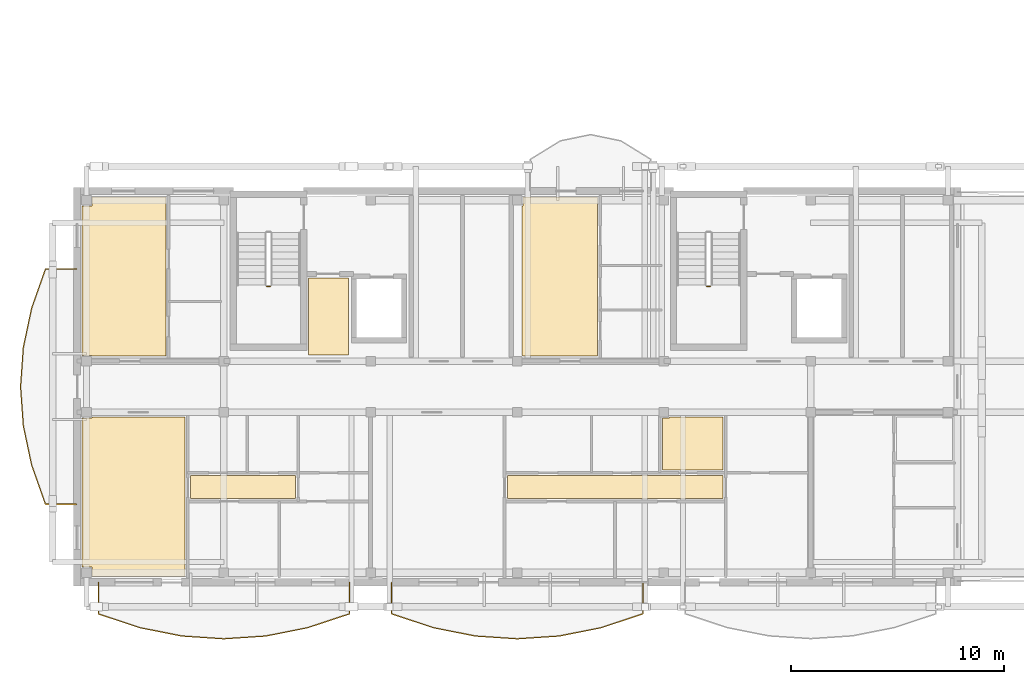
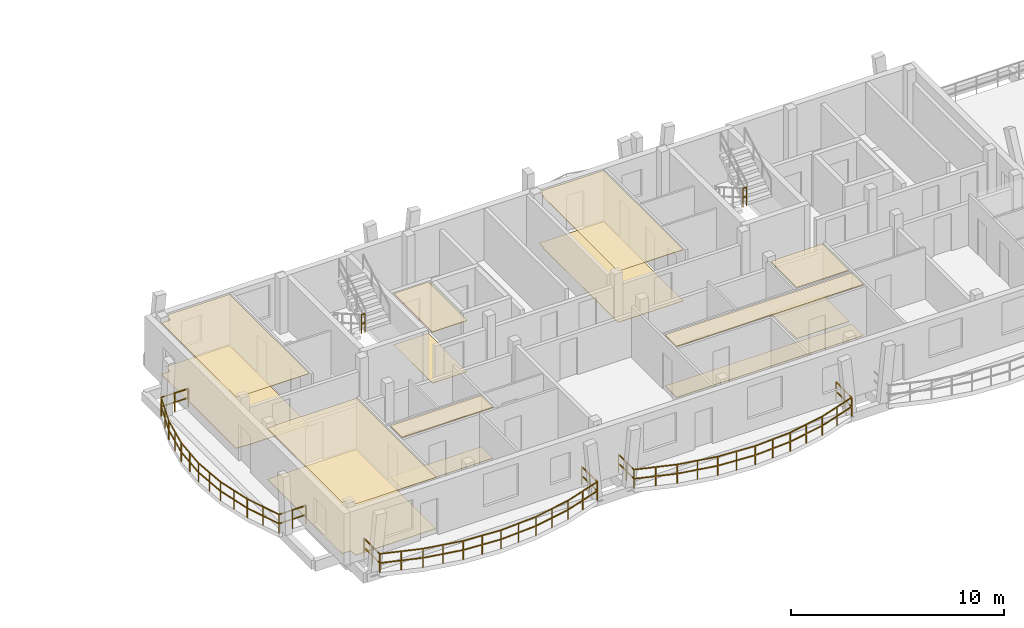
# One storey, part 26 of 33: 14 coverings, 5 railings.
"""IFC4 building model written with IfcOpenShell, lengths in metres."""

from ifc_helpers import new_model, si_unit, direction, frame, origin, origin_2d, place, context, subcontext, project, spatial, polyline, rectangle, outline, extrude, material, layer, layer_set, type_object, element, save


model = new_model("IFC4")

# Units and contexts
model_context = context("Model", 3, precision=1e-05, world=origin(), true_north=direction((0.0, 1.0)))
body_context = subcontext(model_context, "Body", "Model", "MODEL_VIEW")
ifc_project = project(units=[si_unit("LENGTHUNIT", "METRE"), si_unit("AREAUNIT", "SQUARE_METRE"), si_unit("VOLUMEUNIT", "CUBIC_METRE"), si_unit("PLANEANGLEUNIT", "RADIAN"), si_unit("MASSUNIT", "GRAM", prefix="KILO")], contexts=[model_context])

# Site, building, storey
site_placement = place(None, origin())
site = spatial("IfcSite", under=ifc_project, at=site_placement, CompositionType="ELEMENT")
building_placement = place(site_placement, origin())
building = spatial("IfcBuilding", under=site, at=building_placement, Name="Zavelmont Quarter", CompositionType="ELEMENT")
storey_placement = place(building_placement, frame((0.0, 0.0, 30.39990234375)))
storey = spatial("IfcBuildingStorey", under=building, at=storey_placement, Name="L09", CompositionType="ELEMENT", Elevation=30.39990234375)

# Coverings
ifc_material_1 = material(Name="Perforated acoustic gypsum board")
ifc_layer_1 = layer(ifc_material_1, 0.02490234375)
ifc_layer_set_1 = layer_set([ifc_layer_1], Name="Perforated acoustic gypsum board")
covering_type_1 = type_object("IfcCoveringType", Name="CV-CL01", PredefinedType="CEILING", material=ifc_layer_set_1)
covering_1_placement = place(storey_placement, frame((0.0, 0.0, 2.93505859375)))
element("IfcCovering", 1, at=covering_1_placement, inside=storey, type_object=covering_type_1, Name="L09 Lobby Vestibule acoustic ceiling", PredefinedType="CEILING", context=body_context, shape_type="SweptSolid", body=[
    extrude(outline(polyline([(10.8798828125, 14.320068359375), (12.77001953125, 14.320068359375), (12.77001953125, 10.679931640625), (10.8798828125, 10.679931640625), (10.8798828125, 14.320068359375)])), origin(), (0.0, 0.0, 1.0), 0.025146484375),
])
covering_2_placement = place(storey_placement, frame((0.0, 0.0, 2.93505859375)))
element("IfcCovering", 2, at=covering_2_placement, inside=storey, type_object=covering_type_1, Name="L09 Living Dining acoustic ceiling", PredefinedType="CEILING", context=body_context, shape_type="SweptSolid", body=[
    extrude(outline(polyline([(0.22998046875, 7.735107421875), (0.705078125, 7.735107421875), (0.705078125, 7.77001953125), (5.070068359375, 7.77001953125), (5.070068359375, 0.280029296875), (0.705078125, 0.280029296875), (0.705078125, 0.705078125), (0.22998046875, 0.705078125), (0.22998046875, 7.735107421875)])), origin(), (0.0, 0.0, 1.0), 0.025146484375),
])
covering_3_placement = place(storey_placement, frame((0.0, 0.0, 2.93505859375)))
element("IfcCovering", 3, at=covering_3_placement, inside=storey, type_object=covering_type_1, Name="L09 Utility Laundry acoustic ceiling", PredefinedType="CEILING", context=body_context, shape_type="SweptSolid", body=[
    extrude(outline(polyline([(27.530029296875, 7.735107421875), (27.864990234375, 7.735107421875), (27.864990234375, 7.77001953125), (30.3701171875, 7.77001953125), (30.3701171875, 5.280029296875), (27.530029296875, 5.280029296875), (27.530029296875, 7.735107421875)])), origin(), (0.0, 0.0, 1.0), 0.025146484375),
])
covering_4_placement = place(storey_placement, frame((0.0, 0.0, 2.93505859375)))
element("IfcCovering", 4, at=covering_4_placement, inside=storey, type_object=covering_type_1, Name="L09 Residents Study Lounge acoustic ceiling", PredefinedType="CEILING", context=body_context, shape_type="SweptSolid", body=[
    extrude(outline(polyline([(0.22998046875, 17.695068359375), (0.705078125, 17.695068359375), (0.705078125, 18.1201171875), (4.169921875, 18.1201171875), (4.169921875, 10.6298828125), (0.705078125, 10.6298828125), (0.705078125, 10.6650390625), (0.22998046875, 10.6650390625), (0.22998046875, 17.695068359375)])), origin(), (0.0, 0.0, 1.0), 0.025146484375),
])
covering_5_placement = place(storey_placement, frame((0.0, 0.0, 2.93505859375)))
element("IfcCovering", 5, at=covering_5_placement, inside=storey, type_object=covering_type_1, Name="L09 Living Dining acoustic ceiling", PredefinedType="CEILING", context=body_context, shape_type="SweptSolid", body=[
    extrude(outline(polyline([(20.929931640625, 17.695068359375), (20.965087890625, 17.695068359375), (20.965087890625, 18.1201171875), (24.469970703125, 18.1201171875), (24.469970703125, 10.6298828125), (20.965087890625, 10.6298828125), (20.965087890625, 10.6650390625), (20.929931640625, 10.6650390625), (20.929931640625, 17.695068359375)])), origin(), (0.0, 0.0, 1.0), 0.025146484375),
])
ifc_material_2 = material(Name="Slatted European ash acoustic baffle ceiling")
ifc_layer_2 = layer(ifc_material_2, 0.0400390625)
ifc_layer_set_2 = layer_set([ifc_layer_2], Name="Slatted European ash acoustic baffle ceiling")
covering_type_2 = type_object("IfcCoveringType", Name="CV-CL02", PredefinedType="CEILING", material=ifc_layer_set_2)
covering_6_placement = place(storey_placement, frame((0.0, 0.0, 2.920166015625)))
element("IfcCovering", 6, at=covering_6_placement, inside=storey, type_object=covering_type_2, Name="L09 Apartment Hall acoustic ceiling", PredefinedType="CEILING", context=body_context, shape_type="SweptSolid", body=[
    extrude(outline(polyline([(5.330078125, 5.02001953125), (10.27001953125, 5.02001953125), (10.27001953125, 3.929931640625), (5.330078125, 3.929931640625), (5.330078125, 5.02001953125)])), origin(), (0.0, 0.0, 1.0), 0.0400390625),
])
covering_7_placement = place(storey_placement, frame((0.0, 0.0, 2.920166015625)))
element("IfcCovering", 7, at=covering_7_placement, inside=storey, type_object=covering_type_2, Name="L09 Apartment Hall acoustic ceiling", PredefinedType="CEILING", context=body_context, shape_type="SweptSolid", body=[
    extrude(outline(polyline([(20.22998046875, 5.02001953125), (30.3701171875, 5.02001953125), (30.3701171875, 3.929931640625), (20.22998046875, 3.929931640625), (20.22998046875, 5.02001953125)])), origin(), (0.0, 0.0, 1.0), 0.0400390625),
])
ifc_material_3 = material(Name="Engineered European oak parquet")
ifc_layer_3 = layer(ifc_material_3, 0.02197265625)
ifc_layer_set_3 = layer_set([ifc_layer_3], Name="Engineered European oak parquet")
covering_type_3 = type_object("IfcCoveringType", Name="CV-FL01", PredefinedType="FLOORING", material=ifc_layer_set_3)
covering_8_placement = place(storey_placement, origin())
element("IfcCovering", 8, at=covering_8_placement, inside=storey, type_object=covering_type_3, Name="L09 Lobby Vestibule floor finish", PredefinedType="FLOORING", context=body_context, shape_type="SweptSolid", body=[
    extrude(outline(polyline([(10.8798828125, 14.320068359375), (12.77001953125, 14.320068359375), (12.77001953125, 10.679931640625), (10.8798828125, 10.679931640625), (10.8798828125, 14.320068359375)])), origin(), (0.0, 0.0, 1.0), 0.022216796875),
])
covering_9_placement = place(storey_placement, origin())
element("IfcCovering", 9, at=covering_9_placement, inside=storey, type_object=covering_type_3, Name="L09 Living Dining floor finish", PredefinedType="FLOORING", context=body_context, shape_type="SweptSolid", body=[
    extrude(outline(polyline([(0.22998046875, 7.735107421875), (0.705078125, 7.735107421875), (0.705078125, 7.77001953125), (5.070068359375, 7.77001953125), (5.070068359375, 0.280029296875), (0.705078125, 0.280029296875), (0.705078125, 0.705078125), (0.22998046875, 0.705078125), (0.22998046875, 7.735107421875)])), origin(), (0.0, 0.0, 1.0), 0.022216796875),
])
covering_10_placement = place(storey_placement, origin())
element("IfcCovering", 10, at=covering_10_placement, inside=storey, type_object=covering_type_3, Name="L09 Utility Laundry floor finish", PredefinedType="FLOORING", context=body_context, shape_type="SweptSolid", body=[
    extrude(outline(polyline([(27.530029296875, 7.735107421875), (27.864990234375, 7.735107421875), (27.864990234375, 7.77001953125), (30.3701171875, 7.77001953125), (30.3701171875, 5.280029296875), (27.530029296875, 5.280029296875), (27.530029296875, 7.735107421875)])), origin(), (0.0, 0.0, 1.0), 0.022216796875),
])
covering_11_placement = place(storey_placement, origin())
element("IfcCovering", 11, at=covering_11_placement, inside=storey, type_object=covering_type_3, Name="L09 Residents Study Lounge floor finish", PredefinedType="FLOORING", context=body_context, shape_type="SweptSolid", body=[
    extrude(outline(polyline([(0.22998046875, 17.695068359375), (0.705078125, 17.695068359375), (0.705078125, 18.1201171875), (4.169921875, 18.1201171875), (4.169921875, 10.6298828125), (0.705078125, 10.6298828125), (0.705078125, 10.6650390625), (0.22998046875, 10.6650390625), (0.22998046875, 17.695068359375)])), origin(), (0.0, 0.0, 1.0), 0.022216796875),
])
covering_12_placement = place(storey_placement, origin())
element("IfcCovering", 12, at=covering_12_placement, inside=storey, type_object=covering_type_3, Name="L09 Living Dining floor finish", PredefinedType="FLOORING", context=body_context, shape_type="SweptSolid", body=[
    extrude(outline(polyline([(20.929931640625, 17.695068359375), (20.965087890625, 17.695068359375), (20.965087890625, 18.1201171875), (24.469970703125, 18.1201171875), (24.469970703125, 10.6298828125), (20.965087890625, 10.6298828125), (20.965087890625, 10.6650390625), (20.929931640625, 10.6650390625), (20.929931640625, 17.695068359375)])), origin(), (0.0, 0.0, 1.0), 0.022216796875),
])
ifc_material_4 = material(Name="Honed Belgian bluestone tile", Category="masonry")
ifc_layer_4 = layer(ifc_material_4, 0.030029296875)
ifc_layer_set_4 = layer_set([ifc_layer_4], Name="Honed Belgian bluestone tile")
covering_type_4 = type_object("IfcCoveringType", Name="CV-FL02", PredefinedType="FLOORING", material=ifc_layer_set_4)
covering_13_placement = place(storey_placement, origin())
element("IfcCovering", 13, at=covering_13_placement, inside=storey, type_object=covering_type_4, Name="L09 Apartment Hall floor finish", PredefinedType="FLOORING", context=body_context, shape_type="SweptSolid", body=[
    extrude(outline(polyline([(5.330078125, 5.02001953125), (10.27001953125, 5.02001953125), (10.27001953125, 3.929931640625), (5.330078125, 3.929931640625), (5.330078125, 5.02001953125)])), origin(), (0.0, 0.0, 1.0), 0.030029296875),
])
covering_14_placement = place(storey_placement, origin())
element("IfcCovering", 14, at=covering_14_placement, inside=storey, type_object=covering_type_4, Name="L09 Apartment Hall floor finish", PredefinedType="FLOORING", context=body_context, shape_type="SweptSolid", body=[
    extrude(outline(polyline([(20.22998046875, 5.02001953125), (30.3701171875, 5.02001953125), (30.3701171875, 3.929931640625), (20.22998046875, 3.929931640625), (20.22998046875, 5.02001953125)])), origin(), (0.0, 0.0, 1.0), 0.030029296875),
])

# Railings
ifc_material_5 = material(Name="Powder-coated steel and tempered double safety glass", Category="steel")
railing_type_1 = type_object("IfcRailingType", Name="RL-BAL1", PredefinedType="BALUSTRADE", material=ifc_material_5)
railing_1_placement = place(storey_placement, frame((0.99658203125, -0.02001953125, 0.0)))
element("IfcRailing", 15, at=railing_1_placement, inside=storey, type_object=railing_type_1, Name="L09 Block A curved balcony guard RL-BAL1", PredefinedType="BALUSTRADE", context=body_context, shape_type="SweptSolid", body=[
    extrude(rectangle(XDim=0.048095703125, YDim=0.048095703125, at=origin_2d()), frame((0.0, 0.0, 1.076171875), z_axis=(0.0, -1.0, 0.0), x_axis=(1.0, 0.0, 0.0)), (0.0, 0.0, 1.0), 1.47119140625),
    extrude(rectangle(XDim=0.048095703125, YDim=0.048095703125, at=origin_2d()), frame((0.0, 0.0, 0.550048828125), z_axis=(0.0, -1.0, 0.0), x_axis=(1.0, 0.0, 0.0)), (0.0, 0.0, 1.0), 1.47119140625),
    extrude(rectangle(XDim=0.048095703125, YDim=0.048095703125, at=origin_2d()), frame((0.0, -1.47119140625, 1.076171875), z_axis=(0.949411084309, -0.314035974041, 0.0), x_axis=(0.314035974041, 0.949411084309, 0.0)), (0.0, 0.0, 1.0), 2.072509765625),
    extrude(rectangle(XDim=0.048095703125, YDim=0.048095703125, at=origin_2d()), frame((0.0, -1.47119140625, 0.550048828125), z_axis=(0.949411084309, -0.314035974041, 0.0), x_axis=(0.314035974041, 0.949411084309, 0.0)), (0.0, 0.0, 1.0), 2.072509765625),
    extrude(rectangle(XDim=0.048095703125, YDim=0.048095703125, at=origin_2d()), frame((1.9677734375, -2.1220703125, 1.076171875), z_axis=(0.980860504591, -0.194711762698, 0.0), x_axis=(0.194711762698, 0.980860504591, 0.0)), (0.0, 0.0, 1.0), 2.006103515625),
    extrude(rectangle(XDim=0.048095703125, YDim=0.048095703125, at=origin_2d()), frame((1.9677734375, -2.1220703125, 0.550048828125), z_axis=(0.980860504591, -0.194711762698, 0.0), x_axis=(0.194711762698, 0.980860504591, 0.0)), (0.0, 0.0, 1.0), 2.006103515625),
    extrude(rectangle(XDim=0.048095703125, YDim=0.048095703125, at=origin_2d()), frame((3.935546875, -2.5126953125, 1.076171875), z_axis=(0.997812462231, -0.066108170575, 0.0), x_axis=(0.066108170575, 0.997812462231, 0.0)), (0.0, 0.0, 1.0), 1.97216796875),
    extrude(rectangle(XDim=0.048095703125, YDim=0.048095703125, at=origin_2d()), frame((3.935546875, -2.5126953125, 0.550048828125), z_axis=(0.997812462231, -0.066108170575, 0.0), x_axis=(0.066108170575, 0.997812462231, 0.0)), (0.0, 0.0, 1.0), 1.97216796875),
    extrude(rectangle(XDim=0.048095703125, YDim=0.048095703125, at=origin_2d()), frame((5.9033203125, -2.64306640625, 1.076171875), z_axis=(0.997813003164, 0.06610000542, 0.0), x_axis=(-0.06610000542, 0.997813003164, 0.0)), (0.0, 0.0, 1.0), 1.972412109375),
    extrude(rectangle(XDim=0.048095703125, YDim=0.048095703125, at=origin_2d()), frame((5.9033203125, -2.64306640625, 0.550048828125), z_axis=(0.997813003164, 0.06610000542, 0.0), x_axis=(-0.06610000542, 0.997813003164, 0.0)), (0.0, 0.0, 1.0), 1.972412109375),
    extrude(rectangle(XDim=0.048095703125, YDim=0.048095703125, at=origin_2d()), frame((7.871337890625, -2.5126953125, 1.076171875), z_axis=(0.980860504591, 0.194711762698, 0.0), x_axis=(-0.194711762698, 0.980860504591, 0.0)), (0.0, 0.0, 1.0), 2.006103515625),
    extrude(rectangle(XDim=0.048095703125, YDim=0.048095703125, at=origin_2d()), frame((7.871337890625, -2.5126953125, 0.550048828125), z_axis=(0.980860504591, 0.194711762698, 0.0), x_axis=(-0.194711762698, 0.980860504591, 0.0)), (0.0, 0.0, 1.0), 2.006103515625),
    extrude(rectangle(XDim=0.048095703125, YDim=0.048095703125, at=origin_2d()), frame((9.839111328125, -2.1220703125, 1.076171875), z_axis=(0.949411084309, 0.314035974041, 0.0), x_axis=(-0.314035974041, 0.949411084309, 0.0)), (0.0, 0.0, 1.0), 2.072509765625),
    extrude(rectangle(XDim=0.048095703125, YDim=0.048095703125, at=origin_2d()), frame((9.839111328125, -2.1220703125, 0.550048828125), z_axis=(0.949411084309, 0.314035974041, 0.0), x_axis=(-0.314035974041, 0.949411084309, 0.0)), (0.0, 0.0, 1.0), 2.072509765625),
    extrude(rectangle(XDim=0.048095703125, YDim=0.048095703125, at=origin_2d()), frame((11.806884765625, -1.47119140625, 1.076171875), z_axis=(0.0, 1.0, 0.0), x_axis=(-1.0, 0.0, 0.0)), (0.0, 0.0, 1.0), 1.47119140625),
    extrude(rectangle(XDim=0.048095703125, YDim=0.048095703125, at=origin_2d()), frame((11.806884765625, -1.47119140625, 0.550048828125), z_axis=(0.0, 1.0, 0.0), x_axis=(-1.0, 0.0, 0.0)), (0.0, 0.0, 1.0), 1.47119140625),
    extrude(rectangle(XDim=0.0419921875, YDim=0.0419921875, at=origin_2d()), origin(), (0.0, 0.0, 1.0), 1.052001953125),
    extrude(rectangle(XDim=0.0419921875, YDim=0.0419921875, at=origin_2d()), frame((0.0, -0.735595703125, 0.0)), (0.0, 0.0, 1.0), 1.052001953125),
    extrude(rectangle(XDim=0.0419921875, YDim=0.0419921875, at=origin_2d()), frame((0.0, -1.47119140625, 0.0)), (0.0, 0.0, 1.0), 1.052001953125),
    extrude(rectangle(XDim=0.0419921875, YDim=0.0419921875, at=origin_2d()), frame((0.98388671875, -1.796630859375, 0.0)), (0.0, 0.0, 1.0), 1.052001953125),
    extrude(rectangle(XDim=0.0419921875, YDim=0.0419921875, at=origin_2d()), frame((1.9677734375, -2.1220703125, 0.0)), (0.0, 0.0, 1.0), 1.052001953125),
    extrude(rectangle(XDim=0.0419921875, YDim=0.0419921875, at=origin_2d()), frame((2.95166015625, -2.3173828125, 0.0)), (0.0, 0.0, 1.0), 1.052001953125),
    extrude(rectangle(XDim=0.0419921875, YDim=0.0419921875, at=origin_2d()), frame((3.935546875, -2.5126953125, 0.0)), (0.0, 0.0, 1.0), 1.052001953125),
    extrude(rectangle(XDim=0.0419921875, YDim=0.0419921875, at=origin_2d()), frame((4.91943359375, -2.577880859375, 0.0)), (0.0, 0.0, 1.0), 1.052001953125),
    extrude(rectangle(XDim=0.0419921875, YDim=0.0419921875, at=origin_2d()), frame((5.9033203125, -2.64306640625, 0.0)), (0.0, 0.0, 1.0), 1.052001953125),
    extrude(rectangle(XDim=0.0419921875, YDim=0.0419921875, at=origin_2d()), frame((6.88720703125, -2.577880859375, 0.0)), (0.0, 0.0, 1.0), 1.052001953125),
    extrude(rectangle(XDim=0.0419921875, YDim=0.0419921875, at=origin_2d()), frame((7.871337890625, -2.5126953125, 0.0)), (0.0, 0.0, 1.0), 1.052001953125),
    extrude(rectangle(XDim=0.0419921875, YDim=0.0419921875, at=origin_2d()), frame((8.855224609375, -2.3173828125, 0.0)), (0.0, 0.0, 1.0), 1.052001953125),
    extrude(rectangle(XDim=0.0419921875, YDim=0.0419921875, at=origin_2d()), frame((9.839111328125, -2.1220703125, 0.0)), (0.0, 0.0, 1.0), 1.052001953125),
    extrude(rectangle(XDim=0.0419921875, YDim=0.0419921875, at=origin_2d()), frame((10.822998046875, -1.796630859375, 0.0)), (0.0, 0.0, 1.0), 1.052001953125),
    extrude(rectangle(XDim=0.0419921875, YDim=0.0419921875, at=origin_2d()), frame((11.806884765625, -1.47119140625, 0.0)), (0.0, 0.0, 1.0), 1.052001953125),
    extrude(rectangle(XDim=0.0419921875, YDim=0.0419921875, at=origin_2d()), frame((11.806884765625, -0.735595703125, 0.0)), (0.0, 0.0, 1.0), 1.052001953125),
    extrude(rectangle(XDim=0.0419921875, YDim=0.0419921875, at=origin_2d()), frame((11.806884765625, 0.0, 0.0)), (0.0, 0.0, 1.0), 1.052001953125),
])
railing_2_placement = place(storey_placement, frame((14.796630859375, -0.02001953125, 0.0)))
element("IfcRailing", 16, at=railing_2_placement, inside=storey, type_object=railing_type_1, Name="L09 Block A curved balcony guard RL-BAL1", PredefinedType="BALUSTRADE", context=body_context, shape_type="SweptSolid", body=[
    extrude(rectangle(XDim=0.048095703125, YDim=0.048095703125, at=origin_2d()), frame((0.0, 0.0, 1.076171875), z_axis=(0.0, -1.0, 0.0), x_axis=(1.0, 0.0, 0.0)), (0.0, 0.0, 1.0), 1.47119140625),
    extrude(rectangle(XDim=0.048095703125, YDim=0.048095703125, at=origin_2d()), frame((0.0, 0.0, 0.550048828125), z_axis=(0.0, -1.0, 0.0), x_axis=(1.0, 0.0, 0.0)), (0.0, 0.0, 1.0), 1.47119140625),
    extrude(rectangle(XDim=0.048095703125, YDim=0.048095703125, at=origin_2d()), frame((0.0, -1.47119140625, 1.076171875), z_axis=(0.949411084309, -0.314035974041, 0.0), x_axis=(0.314035974041, 0.949411084309, 0.0)), (0.0, 0.0, 1.0), 2.072509765625),
    extrude(rectangle(XDim=0.048095703125, YDim=0.048095703125, at=origin_2d()), frame((0.0, -1.47119140625, 0.550048828125), z_axis=(0.949411084309, -0.314035974041, 0.0), x_axis=(0.314035974041, 0.949411084309, 0.0)), (0.0, 0.0, 1.0), 2.072509765625),
    extrude(rectangle(XDim=0.048095703125, YDim=0.048095703125, at=origin_2d()), frame((1.9677734375, -2.1220703125, 1.076171875), z_axis=(0.980860504591, -0.194711762698, 0.0), x_axis=(0.194711762698, 0.980860504591, 0.0)), (0.0, 0.0, 1.0), 2.006103515625),
    extrude(rectangle(XDim=0.048095703125, YDim=0.048095703125, at=origin_2d()), frame((1.9677734375, -2.1220703125, 0.550048828125), z_axis=(0.980860504591, -0.194711762698, 0.0), x_axis=(0.194711762698, 0.980860504591, 0.0)), (0.0, 0.0, 1.0), 2.006103515625),
    extrude(rectangle(XDim=0.048095703125, YDim=0.048095703125, at=origin_2d()), frame((3.935546875, -2.5126953125, 1.076171875), z_axis=(0.997812462231, -0.066108170575, 0.0), x_axis=(0.066108170575, 0.997812462231, 0.0)), (0.0, 0.0, 1.0), 1.97216796875),
    extrude(rectangle(XDim=0.048095703125, YDim=0.048095703125, at=origin_2d()), frame((3.935546875, -2.5126953125, 0.550048828125), z_axis=(0.997812462231, -0.066108170575, 0.0), x_axis=(0.066108170575, 0.997812462231, 0.0)), (0.0, 0.0, 1.0), 1.97216796875),
    extrude(rectangle(XDim=0.048095703125, YDim=0.048095703125, at=origin_2d()), frame((5.9033203125, -2.64306640625, 1.076171875), z_axis=(0.997812462231, 0.066108170575, 0.0), x_axis=(-0.066108170575, 0.997812462231, 0.0)), (0.0, 0.0, 1.0), 1.97216796875),
    extrude(rectangle(XDim=0.048095703125, YDim=0.048095703125, at=origin_2d()), frame((5.9033203125, -2.64306640625, 0.550048828125), z_axis=(0.997812462231, 0.066108170575, 0.0), x_axis=(-0.066108170575, 0.997812462231, 0.0)), (0.0, 0.0, 1.0), 1.97216796875),
    extrude(rectangle(XDim=0.048095703125, YDim=0.048095703125, at=origin_2d()), frame((7.87109375, -2.5126953125, 1.076171875), z_axis=(0.980860504591, 0.194711762698, 0.0), x_axis=(-0.194711762698, 0.980860504591, 0.0)), (0.0, 0.0, 1.0), 2.006103515625),
    extrude(rectangle(XDim=0.048095703125, YDim=0.048095703125, at=origin_2d()), frame((7.87109375, -2.5126953125, 0.550048828125), z_axis=(0.980860504591, 0.194711762698, 0.0), x_axis=(-0.194711762698, 0.980860504591, 0.0)), (0.0, 0.0, 1.0), 2.006103515625),
    extrude(rectangle(XDim=0.048095703125, YDim=0.048095703125, at=origin_2d()), frame((9.8388671875, -2.1220703125, 1.076171875), z_axis=(0.949422698934, 0.314000857879, 0.0), x_axis=(-0.314000857879, 0.949422698934, 0.0)), (0.0, 0.0, 1.0), 2.07275390625),
    extrude(rectangle(XDim=0.048095703125, YDim=0.048095703125, at=origin_2d()), frame((9.8388671875, -2.1220703125, 0.550048828125), z_axis=(0.949422698934, 0.314000857879, 0.0), x_axis=(-0.314000857879, 0.949422698934, 0.0)), (0.0, 0.0, 1.0), 2.07275390625),
    extrude(rectangle(XDim=0.048095703125, YDim=0.048095703125, at=origin_2d()), frame((11.806884765625, -1.47119140625, 1.076171875), z_axis=(0.0, 1.0, 0.0), x_axis=(-1.0, 0.0, 0.0)), (0.0, 0.0, 1.0), 1.47119140625),
    extrude(rectangle(XDim=0.048095703125, YDim=0.048095703125, at=origin_2d()), frame((11.806884765625, -1.47119140625, 0.550048828125), z_axis=(0.0, 1.0, 0.0), x_axis=(-1.0, 0.0, 0.0)), (0.0, 0.0, 1.0), 1.47119140625),
    extrude(rectangle(XDim=0.0419921875, YDim=0.0419921875, at=origin_2d()), origin(), (0.0, 0.0, 1.0), 1.052001953125),
    extrude(rectangle(XDim=0.0419921875, YDim=0.0419921875, at=origin_2d()), frame((0.0, -0.735595703125, 0.0)), (0.0, 0.0, 1.0), 1.052001953125),
    extrude(rectangle(XDim=0.0419921875, YDim=0.0419921875, at=origin_2d()), frame((0.0, -1.47119140625, 0.0)), (0.0, 0.0, 1.0), 1.052001953125),
    extrude(rectangle(XDim=0.0419921875, YDim=0.0419921875, at=origin_2d()), frame((0.98388671875, -1.796630859375, 0.0)), (0.0, 0.0, 1.0), 1.052001953125),
    extrude(rectangle(XDim=0.0419921875, YDim=0.0419921875, at=origin_2d()), frame((1.9677734375, -2.1220703125, 0.0)), (0.0, 0.0, 1.0), 1.052001953125),
    extrude(rectangle(XDim=0.0419921875, YDim=0.0419921875, at=origin_2d()), frame((2.95166015625, -2.3173828125, 0.0)), (0.0, 0.0, 1.0), 1.052001953125),
    extrude(rectangle(XDim=0.0419921875, YDim=0.0419921875, at=origin_2d()), frame((3.935546875, -2.5126953125, 0.0)), (0.0, 0.0, 1.0), 1.052001953125),
    extrude(rectangle(XDim=0.0419921875, YDim=0.0419921875, at=origin_2d()), frame((4.91943359375, -2.577880859375, 0.0)), (0.0, 0.0, 1.0), 1.052001953125),
    extrude(rectangle(XDim=0.0419921875, YDim=0.0419921875, at=origin_2d()), frame((5.9033203125, -2.64306640625, 0.0)), (0.0, 0.0, 1.0), 1.052001953125),
    extrude(rectangle(XDim=0.0419921875, YDim=0.0419921875, at=origin_2d()), frame((6.88720703125, -2.577880859375, 0.0)), (0.0, 0.0, 1.0), 1.052001953125),
    extrude(rectangle(XDim=0.0419921875, YDim=0.0419921875, at=origin_2d()), frame((7.87109375, -2.5126953125, 0.0)), (0.0, 0.0, 1.0), 1.052001953125),
    extrude(rectangle(XDim=0.0419921875, YDim=0.0419921875, at=origin_2d()), frame((8.85498046875, -2.3173828125, 0.0)), (0.0, 0.0, 1.0), 1.052001953125),
    extrude(rectangle(XDim=0.0419921875, YDim=0.0419921875, at=origin_2d()), frame((9.8388671875, -2.1220703125, 0.0)), (0.0, 0.0, 1.0), 1.052001953125),
    extrude(rectangle(XDim=0.0419921875, YDim=0.0419921875, at=origin_2d()), frame((10.82275390625, -1.796630859375, 0.0)), (0.0, 0.0, 1.0), 1.052001953125),
    extrude(rectangle(XDim=0.0419921875, YDim=0.0419921875, at=origin_2d()), frame((11.806884765625, -1.47119140625, 0.0)), (0.0, 0.0, 1.0), 1.052001953125),
    extrude(rectangle(XDim=0.0419921875, YDim=0.0419921875, at=origin_2d()), frame((11.806884765625, -0.735595703125, 0.0)), (0.0, 0.0, 1.0), 1.052001953125),
    extrude(rectangle(XDim=0.0419921875, YDim=0.0419921875, at=origin_2d()), frame((11.806884765625, 0.0, 0.0)), (0.0, 0.0, 1.0), 1.052001953125),
])
railing_3_placement = place(storey_placement, frame((-0.02001953125, 14.73291015625, 0.0)))
element("IfcRailing", 17, at=railing_3_placement, inside=storey, type_object=railing_type_1, Name="L09 Block A curved balcony guard RL-BAL1", PredefinedType="BALUSTRADE", context=body_context, shape_type="SweptSolid", body=[
    extrude(rectangle(XDim=0.048095703125, YDim=0.048095703125, at=origin_2d()), frame((0.0, 0.0, 1.076171875), z_axis=(-1.0, 0.0, 0.0), x_axis=(0.0, -1.0, 0.0)), (0.0, 0.0, 1.0), 1.47119140625),
    extrude(rectangle(XDim=0.048095703125, YDim=0.048095703125, at=origin_2d()), frame((0.0, 0.0, 0.550048828125), z_axis=(-1.0, 0.0, 0.0), x_axis=(0.0, -1.0, 0.0)), (0.0, 0.0, 1.0), 1.47119140625),
    extrude(rectangle(XDim=0.048095703125, YDim=0.048095703125, at=origin_2d()), frame((-1.47119140625, 0.0, 1.076171875), z_axis=(-0.332807058161, -0.942994942742, 0.0), x_axis=(0.942994942742, -0.332807058161, 0.0)), (0.0, 0.0, 1.0), 1.955810546875),
    extrude(rectangle(XDim=0.048095703125, YDim=0.048095703125, at=origin_2d()), frame((-1.47119140625, 0.0, 0.550048828125), z_axis=(-0.332807058161, -0.942994942742, 0.0), x_axis=(0.942994942742, -0.332807058161, 0.0)), (0.0, 0.0, 1.0), 1.955810546875),
    extrude(rectangle(XDim=0.048095703125, YDim=0.048095703125, at=origin_2d()), frame((-2.1220703125, -1.84423828125, 1.076171875), z_axis=(-0.207185022229, -0.978301776838, 0.0), x_axis=(0.978301776838, -0.207185022229, 0.0)), (0.0, 0.0, 1.0), 1.885498046875),
    extrude(rectangle(XDim=0.048095703125, YDim=0.048095703125, at=origin_2d()), frame((-2.1220703125, -1.84423828125, 0.550048828125), z_axis=(-0.207185022229, -0.978301776838, 0.0), x_axis=(0.978301776838, -0.207185022229, 0.0)), (0.0, 0.0, 1.0), 1.885498046875),
    extrude(rectangle(XDim=0.048095703125, YDim=0.048095703125, at=origin_2d()), frame((-2.5126953125, -3.688720703125, 1.076171875), z_axis=(-0.070515054535, -0.997510715273, 0.0), x_axis=(0.997510715273, -0.070515054535, 0.0)), (0.0, 0.0, 1.0), 1.848876953125),
    extrude(rectangle(XDim=0.048095703125, YDim=0.048095703125, at=origin_2d()), frame((-2.5126953125, -3.688720703125, 0.550048828125), z_axis=(-0.070515054535, -0.997510715273, 0.0), x_axis=(0.997510715273, -0.070515054535, 0.0)), (0.0, 0.0, 1.0), 1.848876953125),
    extrude(rectangle(XDim=0.048095703125, YDim=0.048095703125, at=origin_2d()), frame((-2.64306640625, -5.532958984375, 1.076171875), z_axis=(0.070515054535, -0.997510715273, 0.0), x_axis=(0.997510715273, 0.070515054535, 0.0)), (0.0, 0.0, 1.0), 1.848876953125),
    extrude(rectangle(XDim=0.048095703125, YDim=0.048095703125, at=origin_2d()), frame((-2.64306640625, -5.532958984375, 0.550048828125), z_axis=(0.070515054535, -0.997510715273, 0.0), x_axis=(0.997510715273, 0.070515054535, 0.0)), (0.0, 0.0, 1.0), 1.848876953125),
    extrude(rectangle(XDim=0.048095703125, YDim=0.048095703125, at=origin_2d()), frame((-2.5126953125, -7.377197265625, 1.076171875), z_axis=(0.207211271869, -0.978296217314, 0.0), x_axis=(0.978296217314, 0.207211271869, 0.0)), (0.0, 0.0, 1.0), 1.88525390625),
    extrude(rectangle(XDim=0.048095703125, YDim=0.048095703125, at=origin_2d()), frame((-2.5126953125, -7.377197265625, 0.550048828125), z_axis=(0.207211271869, -0.978296217314, 0.0), x_axis=(0.978296217314, 0.207211271869, 0.0)), (0.0, 0.0, 1.0), 1.88525390625),
    extrude(rectangle(XDim=0.048095703125, YDim=0.048095703125, at=origin_2d()), frame((-2.1220703125, -9.221435546875, 1.076171875), z_axis=(0.332767885206, -0.943008766966, 0.0), x_axis=(0.943008766966, 0.332767885206, 0.0)), (0.0, 0.0, 1.0), 1.9560546875),
    extrude(rectangle(XDim=0.048095703125, YDim=0.048095703125, at=origin_2d()), frame((-2.1220703125, -9.221435546875, 0.550048828125), z_axis=(0.332767885206, -0.943008766966, 0.0), x_axis=(0.943008766966, 0.332767885206, 0.0)), (0.0, 0.0, 1.0), 1.9560546875),
    extrude(rectangle(XDim=0.048095703125, YDim=0.048095703125, at=origin_2d()), frame((-1.47119140625, -11.06591796875, 1.076171875), z_axis=(1.0, 0.0, 0.0), x_axis=(0.0, 1.0, 0.0)), (0.0, 0.0, 1.0), 1.47119140625),
    extrude(rectangle(XDim=0.048095703125, YDim=0.048095703125, at=origin_2d()), frame((-1.47119140625, -11.06591796875, 0.550048828125), z_axis=(1.0, 0.0, 0.0), x_axis=(0.0, 1.0, 0.0)), (0.0, 0.0, 1.0), 1.47119140625),
    extrude(rectangle(XDim=0.0419921875, YDim=0.0419921875, at=origin_2d()), origin(), (0.0, 0.0, 1.0), 1.052001953125),
    extrude(rectangle(XDim=0.0419921875, YDim=0.0419921875, at=origin_2d()), frame((-0.735595703125, 0.0, 0.0)), (0.0, 0.0, 1.0), 1.052001953125),
    extrude(rectangle(XDim=0.0419921875, YDim=0.0419921875, at=origin_2d()), frame((-1.47119140625, 0.0, 0.0)), (0.0, 0.0, 1.0), 1.052001953125),
    extrude(rectangle(XDim=0.0419921875, YDim=0.0419921875, at=origin_2d()), frame((-1.796630859375, -0.922119140625, 0.0)), (0.0, 0.0, 1.0), 1.052001953125),
    extrude(rectangle(XDim=0.0419921875, YDim=0.0419921875, at=origin_2d()), frame((-2.1220703125, -1.84423828125, 0.0)), (0.0, 0.0, 1.0), 1.052001953125),
    extrude(rectangle(XDim=0.0419921875, YDim=0.0419921875, at=origin_2d()), frame((-2.3173828125, -2.7666015625, 0.0)), (0.0, 0.0, 1.0), 1.052001953125),
    extrude(rectangle(XDim=0.0419921875, YDim=0.0419921875, at=origin_2d()), frame((-2.5126953125, -3.688720703125, 0.0)), (0.0, 0.0, 1.0), 1.052001953125),
    extrude(rectangle(XDim=0.0419921875, YDim=0.0419921875, at=origin_2d()), frame((-2.577880859375, -4.61083984375, 0.0)), (0.0, 0.0, 1.0), 1.052001953125),
    extrude(rectangle(XDim=0.0419921875, YDim=0.0419921875, at=origin_2d()), frame((-2.64306640625, -5.532958984375, 0.0)), (0.0, 0.0, 1.0), 1.052001953125),
    extrude(rectangle(XDim=0.0419921875, YDim=0.0419921875, at=origin_2d()), frame((-2.577880859375, -6.455078125, 0.0)), (0.0, 0.0, 1.0), 1.052001953125),
    extrude(rectangle(XDim=0.0419921875, YDim=0.0419921875, at=origin_2d()), frame((-2.5126953125, -7.377197265625, 0.0)), (0.0, 0.0, 1.0), 1.052001953125),
    extrude(rectangle(XDim=0.0419921875, YDim=0.0419921875, at=origin_2d()), frame((-2.3173828125, -8.29931640625, 0.0)), (0.0, 0.0, 1.0), 1.052001953125),
    extrude(rectangle(XDim=0.0419921875, YDim=0.0419921875, at=origin_2d()), frame((-2.1220703125, -9.221435546875, 0.0)), (0.0, 0.0, 1.0), 1.052001953125),
    extrude(rectangle(XDim=0.0419921875, YDim=0.0419921875, at=origin_2d()), frame((-1.796630859375, -10.1435546875, 0.0)), (0.0, 0.0, 1.0), 1.052001953125),
    extrude(rectangle(XDim=0.0419921875, YDim=0.0419921875, at=origin_2d()), frame((-1.47119140625, -11.06591796875, 0.0)), (0.0, 0.0, 1.0), 1.052001953125),
    extrude(rectangle(XDim=0.0419921875, YDim=0.0419921875, at=origin_2d()), frame((-0.735595703125, -11.06591796875, 0.0)), (0.0, 0.0, 1.0), 1.052001953125),
    extrude(rectangle(XDim=0.0419921875, YDim=0.0419921875, at=origin_2d()), frame((0.0, -11.06591796875, 0.0)), (0.0, 0.0, 1.0), 1.052001953125),
])
ifc_material_6 = material(Name="Powder-coated steel stair guardrail", Category="steel")
railing_type_2 = type_object("IfcRailingType", Name="RL-GRD1", PredefinedType="GUARDRAIL", material=ifc_material_6)
railing_4_placement = place(storey_placement, frame((8.89990234375, 13.919921875, 1.60009765625)))
element("IfcRailing", 18, at=railing_4_placement, inside=storey, type_object=railing_type_2, Name="L09 ST01 stair guardrail 2", PredefinedType="GUARDRAIL", context=body_context, shape_type="SweptSolid", body=[
    extrude(rectangle(XDim=0.048095703125, YDim=0.048095703125, at=origin_2d()), frame((0.0, 0.0, 1.076171875), z_axis=(1.0, 0.0, 0.0), x_axis=(0.0, 1.0, 0.0)), (0.0, 0.0, 1.0), 0.2001953125),
    extrude(rectangle(XDim=0.048095703125, YDim=0.048095703125, at=origin_2d()), frame((0.0, 0.0, 0.550048828125), z_axis=(1.0, 0.0, 0.0), x_axis=(0.0, 1.0, 0.0)), (0.0, 0.0, 1.0), 0.2001953125),
    extrude(rectangle(XDim=0.0419921875, YDim=0.0419921875, at=origin_2d()), origin(), (0.0, 0.0, 1.0), 1.052001953125),
    extrude(rectangle(XDim=0.0419921875, YDim=0.0419921875, at=origin_2d()), frame((0.2001953125, 0.0, 0.0)), (0.0, 0.0, 1.0), 1.052001953125),
])
railing_5_placement = place(storey_placement, frame((29.60009765625, 13.919921875, 1.60009765625)))
element("IfcRailing", 19, at=railing_5_placement, inside=storey, type_object=railing_type_2, Name="L09 ST02 stair guardrail 2", PredefinedType="GUARDRAIL", context=body_context, shape_type="SweptSolid", body=[
    extrude(rectangle(XDim=0.048095703125, YDim=0.048095703125, at=origin_2d()), frame((0.0, 0.0, 1.076171875), z_axis=(1.0, 0.0, 0.0), x_axis=(0.0, 1.0, 0.0)), (0.0, 0.0, 1.0), 0.199951171875),
    extrude(rectangle(XDim=0.048095703125, YDim=0.048095703125, at=origin_2d()), frame((0.0, 0.0, 0.550048828125), z_axis=(1.0, 0.0, 0.0), x_axis=(0.0, 1.0, 0.0)), (0.0, 0.0, 1.0), 0.199951171875),
    extrude(rectangle(XDim=0.0419921875, YDim=0.0419921875, at=origin_2d()), origin(), (0.0, 0.0, 1.0), 1.052001953125),
    extrude(rectangle(XDim=0.0419921875, YDim=0.0419921875, at=origin_2d()), frame((0.199951171875, 0.0, 0.0)), (0.0, 0.0, 1.0), 1.052001953125),
])

save(model, "model.ifc")
